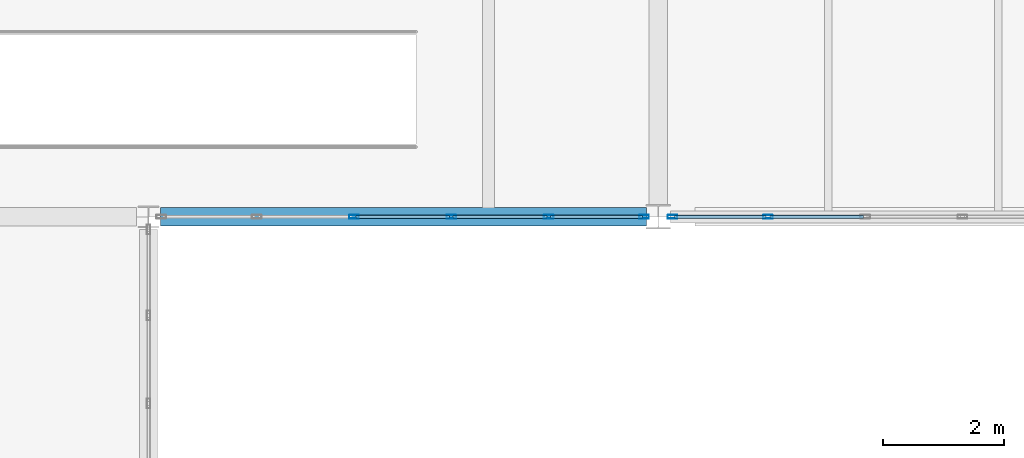
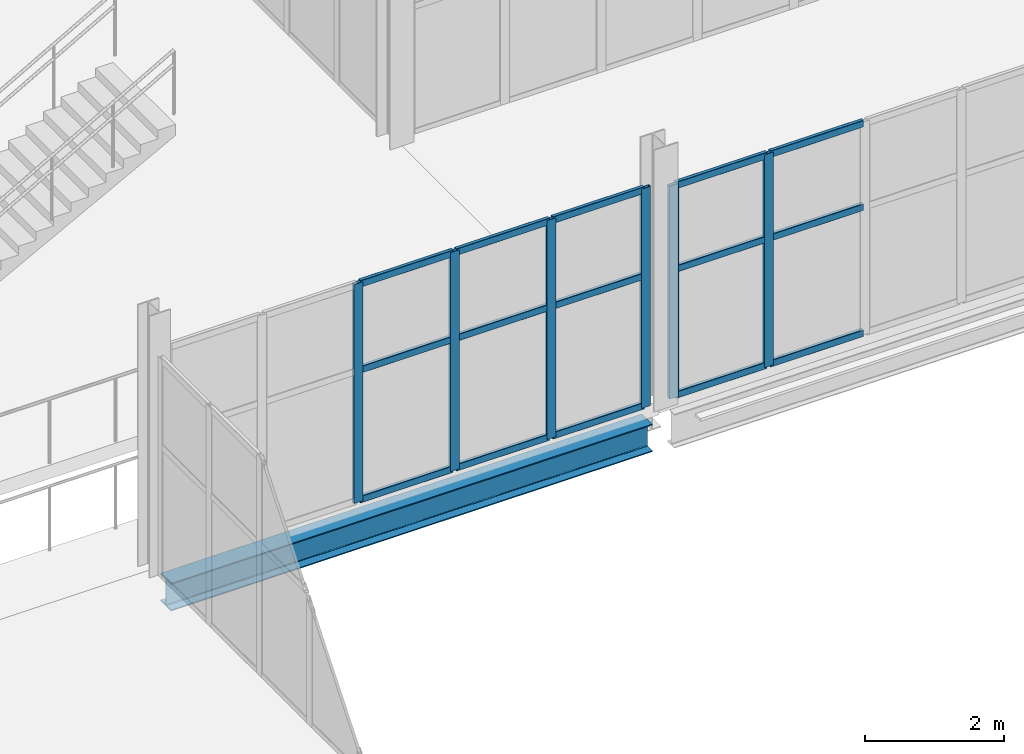
# One storey, part 40 of 172: 21 members, 1 beam, 2 elements without a shape of their own.
"""IFC4 building model written with IfcOpenShell, lengths in metres."""

from ifc_helpers import new_model, si_unit, direction, frame, origin, origin_2d, place, context, subcontext, project, spatial, hollow_rectangle, i_section, extrude, material, material_profile, profile_set, type_object, element, aggregate, save


model = new_model("IFC4")

# Units and contexts
model_context = context("Model", 3, precision=1e-05, world=origin(), true_north=direction((0.0, 1.0)))
body_context = subcontext(model_context, "Body", "Model", "MODEL_VIEW")
ifc_project = project(units=[si_unit("LENGTHUNIT", "METRE"), si_unit("AREAUNIT", "SQUARE_METRE"), si_unit("VOLUMEUNIT", "CUBIC_METRE"), si_unit("PLANEANGLEUNIT", "RADIAN"), si_unit("MASSUNIT", "GRAM", prefix="KILO")], contexts=[model_context])

# Site, building, storey
site_placement = place(None, origin())
site = spatial("IfcSite", under=ifc_project, at=site_placement, CompositionType="ELEMENT")
building_placement = place(site_placement, origin())
building = spatial("IfcBuilding", under=site, at=building_placement, Name="Shengluoqiao Park Theatre", CompositionType="ELEMENT")
storey_placement = place(building_placement, frame((0.0, 0.0, 5.39990234375)))
storey = spatial("IfcBuildingStorey", under=building, at=storey_placement, Name="L01", CompositionType="ELEMENT", Elevation=5.39990234375)

# Curtain wall, members
ifc_material_1 = material(Name="Aluminium 6063-T6", Category="aluminium")
curtain_wall_type_1 = type_object("IfcCurtainWallType", Name="ENV-CW-BRIDGE", PredefinedType="NOTDEFINED", material=ifc_material_1)
curtain_wall_1_placement = place(storey_placement, origin())
curtain_wall_1 = element("IfcCurtainWall", 1, at=curtain_wall_1_placement, inside=storey, type_object=curtain_wall_type_1, Name="L01 Curtain Wall CWX-L01-0123", PredefinedType="NOTDEFINED")
ifc_material_profile_1 = material_profile(ifc_material_1, hollow_rectangle(XDim=0.06005859375, YDim=0.159912109375, WallThickness=0.00390625, InnerFilletRadius=0.00390625, OuterFilletRadius=0.008056640625, at=origin_2d()), Name="ALU MULLION 160x60x4")
ifc_profile_set_1 = profile_set([ifc_material_profile_1], Name="Aluminium 6063-T6")
member_type_1 = type_object("IfcMemberType", Name="ENV-MUL-160", PredefinedType="MULLION", material=ifc_profile_set_1)
member_1_placement = place(storey_placement, frame((44.634033203125, 53.199951171875, 0.0), z_axis=(0.0, 0.0, 1.0), x_axis=(0.0, 1.0, 0.0)))
member_1 = element("IfcMember", 2, at=member_1_placement, type_object=member_type_1, Name="CW-03 mullion 1", PredefinedType="MULLION", context=body_context, shape_type="SweptSolid", body=[
    extrude(hollow_rectangle(XDim=0.06005859375, YDim=0.159912109375, WallThickness=0.00390625, InnerFilletRadius=0.00390625, OuterFilletRadius=0.008056640625, at=origin_2d()), origin(), (0.0, 0.0, 1.0), 3.7421875),
])
member_2_placement = place(storey_placement, frame((46.206787109375, 53.199951171875, 0.0), z_axis=(0.0, 0.0, 1.0), x_axis=(0.0, 1.0, 0.0)))
member_2 = element("IfcMember", 3, at=member_2_placement, type_object=member_type_1, Name="CW-03 mullion 2", PredefinedType="MULLION", context=body_context, shape_type="SweptSolid", body=[
    extrude(hollow_rectangle(XDim=0.06005859375, YDim=0.159912109375, WallThickness=0.00390625, InnerFilletRadius=0.00390625, OuterFilletRadius=0.008056640625, at=origin_2d()), origin(), (0.0, 0.0, 1.0), 3.7421875),
])

curtain_wall_type_2 = type_object("IfcCurtainWallType", Name="ENV-CW-FOYER", PredefinedType="NOTDEFINED", material=ifc_material_1)
curtain_wall_2_placement = place(storey_placement, origin())
curtain_wall_2 = element("IfcCurtainWall", 4, at=curtain_wall_2_placement, inside=storey, type_object=curtain_wall_type_2, Name="L01 Curtain Wall CWX-L01-0212", PredefinedType="NOTDEFINED")
member_3_placement = place(storey_placement, frame((39.3857421875, 53.199951171875, 0.0), z_axis=(0.0, 0.0, 1.0), x_axis=(0.0, 1.0, 0.0)))
member_3 = element("IfcMember", 5, at=member_3_placement, type_object=member_type_1, Name="CW-01 mullion 3", PredefinedType="MULLION", context=body_context, shape_type="SweptSolid", body=[
    extrude(hollow_rectangle(XDim=0.06005859375, YDim=0.159912109375, WallThickness=0.00390625, InnerFilletRadius=0.00390625, OuterFilletRadius=0.008056640625, at=origin_2d()), origin(), (0.0, 0.0, 1.0), 3.85009765625),
])
member_4_placement = place(storey_placement, frame((40.9892578125, 53.199951171875, 0.0), z_axis=(0.0, 0.0, 1.0), x_axis=(0.0, 1.0, 0.0)))
member_4 = element("IfcMember", 6, at=member_4_placement, type_object=member_type_1, Name="CW-01 mullion 4", PredefinedType="MULLION", context=body_context, shape_type="SweptSolid", body=[
    extrude(hollow_rectangle(XDim=0.06005859375, YDim=0.159912109375, WallThickness=0.00390625, InnerFilletRadius=0.00390625, OuterFilletRadius=0.008056640625, at=origin_2d()), origin(), (0.0, 0.0, 1.0), 3.85009765625),
])
member_5_placement = place(storey_placement, frame((42.592529296875, 53.199951171875, 0.0), z_axis=(0.0, 0.0, 1.0), x_axis=(0.0, 1.0, 0.0)))
member_5 = element("IfcMember", 7, at=member_5_placement, type_object=member_type_1, Name="CW-01 mullion 5", PredefinedType="MULLION", context=body_context, shape_type="SweptSolid", body=[
    extrude(hollow_rectangle(XDim=0.06005859375, YDim=0.159912109375, WallThickness=0.00390625, InnerFilletRadius=0.00390625, OuterFilletRadius=0.008056640625, at=origin_2d()), origin(), (0.0, 0.0, 1.0), 3.85009765625),
])
member_6_placement = place(storey_placement, frame((44.166015625, 53.199951171875, 0.0), z_axis=(0.0, 0.0, 1.0), x_axis=(0.0, 1.0, 0.0)))
member_6 = element("IfcMember", 8, at=member_6_placement, type_object=member_type_1, Name="CW-01 mullion 6", PredefinedType="MULLION", context=body_context, shape_type="SweptSolid", body=[
    extrude(hollow_rectangle(XDim=0.06005859375, YDim=0.159912109375, WallThickness=0.00390625, InnerFilletRadius=0.00390625, OuterFilletRadius=0.008056640625, at=origin_2d()), origin(), (0.0, 0.0, 1.0), 3.85009765625),
])

# Member
ifc_material_profile_2 = material_profile(ifc_material_1, hollow_rectangle(XDim=0.06005859375, YDim=0.1201171875, WallThickness=0.00390625, InnerFilletRadius=0.00390625, OuterFilletRadius=0.008056640625, at=origin_2d()), Name="ALU TRANSOM 120x60x4")
ifc_profile_set_2 = profile_set([ifc_material_profile_2], Name="Aluminium 6063-T6")
member_type_2 = type_object("IfcMemberType", Name="ENV-TRN-120", PredefinedType="USERDEFINED", material=ifc_profile_set_2)
member_7_placement = place(storey_placement, frame((44.6640625, 53.199951171875, 0.030029296875), z_axis=(1.0, 0.0, 0.0), x_axis=(0.0, 1.0, 0.0)))
member_7 = element("IfcMember", 9, at=member_7_placement, type_object=member_type_2, Name="CW-03 transom 1.1", ObjectType="TRANSOM", PredefinedType="USERDEFINED", context=body_context, shape_type="SweptSolid", body=[
    extrude(hollow_rectangle(XDim=0.06005859375, YDim=0.1201171875, WallThickness=0.00390625, InnerFilletRadius=0.00390625, OuterFilletRadius=0.008056640625, at=origin_2d()), origin(), (0.0, 0.0, 1.0), 1.5126953125),
])

member_8_placement = place(storey_placement, frame((44.6640625, 53.199951171875, 2.2451171875), z_axis=(1.0, 0.0, 0.0), x_axis=(0.0, 1.0, 0.0)))
member_8 = element("IfcMember", 10, at=member_8_placement, type_object=member_type_2, Name="CW-03 transom 1.2", ObjectType="TRANSOM", PredefinedType="USERDEFINED", context=body_context, shape_type="SweptSolid", body=[
    extrude(hollow_rectangle(XDim=0.06005859375, YDim=0.1201171875, WallThickness=0.00390625, InnerFilletRadius=0.00390625, OuterFilletRadius=0.008056640625, at=origin_2d()), origin(), (0.0, 0.0, 1.0), 1.5126953125),
])

member_9_placement = place(storey_placement, frame((44.6640625, 53.199951171875, 3.712158203125), z_axis=(1.0, 0.0, 0.0), x_axis=(0.0, 1.0, 0.0)))
member_9 = element("IfcMember", 11, at=member_9_placement, type_object=member_type_2, Name="CW-03 transom 1.3", ObjectType="TRANSOM", PredefinedType="USERDEFINED", context=body_context, shape_type="SweptSolid", body=[
    extrude(hollow_rectangle(XDim=0.06005859375, YDim=0.1201171875, WallThickness=0.00390625, InnerFilletRadius=0.00390625, OuterFilletRadius=0.008056640625, at=origin_2d()), origin(), (0.0, 0.0, 1.0), 1.5126953125),
])

member_10_placement = place(storey_placement, frame((46.23681640625, 53.199951171875, 0.030029296875), z_axis=(1.0, 0.0, 0.0), x_axis=(0.0, 1.0, 0.0)))
member_10 = element("IfcMember", 12, at=member_10_placement, type_object=member_type_2, Name="CW-03 transom 2.1", ObjectType="TRANSOM", PredefinedType="USERDEFINED", context=body_context, shape_type="SweptSolid", body=[
    extrude(hollow_rectangle(XDim=0.06005859375, YDim=0.1201171875, WallThickness=0.00390625, InnerFilletRadius=0.00390625, OuterFilletRadius=0.008056640625, at=origin_2d()), origin(), (0.0, 0.0, 1.0), 1.542724609375),
])

member_11_placement = place(storey_placement, frame((46.23681640625, 53.199951171875, 2.2451171875), z_axis=(1.0, 0.0, 0.0), x_axis=(0.0, 1.0, 0.0)))
member_11 = element("IfcMember", 13, at=member_11_placement, type_object=member_type_2, Name="CW-03 transom 2.2", ObjectType="TRANSOM", PredefinedType="USERDEFINED", context=body_context, shape_type="SweptSolid", body=[
    extrude(hollow_rectangle(XDim=0.06005859375, YDim=0.1201171875, WallThickness=0.00390625, InnerFilletRadius=0.00390625, OuterFilletRadius=0.008056640625, at=origin_2d()), origin(), (0.0, 0.0, 1.0), 1.542724609375),
])

member_12_placement = place(storey_placement, frame((46.23681640625, 53.199951171875, 3.712158203125), z_axis=(1.0, 0.0, 0.0), x_axis=(0.0, 1.0, 0.0)))
member_12 = element("IfcMember", 14, at=member_12_placement, type_object=member_type_2, Name="CW-03 transom 2.3", ObjectType="TRANSOM", PredefinedType="USERDEFINED", context=body_context, shape_type="SweptSolid", body=[
    extrude(hollow_rectangle(XDim=0.06005859375, YDim=0.1201171875, WallThickness=0.00390625, InnerFilletRadius=0.00390625, OuterFilletRadius=0.008056640625, at=origin_2d()), origin(), (0.0, 0.0, 1.0), 1.542724609375),
])

aggregate(curtain_wall_1, [member_1, member_2, member_7, member_8, member_9, member_10, member_11, member_12])

member_13_placement = place(storey_placement, frame((39.415771484375, 53.199951171875, 0.030029296875), z_axis=(1.0, 0.0, 0.0), x_axis=(0.0, 1.0, 0.0)))
member_13 = element("IfcMember", 15, at=member_13_placement, type_object=member_type_2, Name="CW-01 transom 3.1", ObjectType="TRANSOM", PredefinedType="USERDEFINED", context=body_context, shape_type="SweptSolid", body=[
    extrude(hollow_rectangle(XDim=0.06005859375, YDim=0.1201171875, WallThickness=0.00390625, InnerFilletRadius=0.00390625, OuterFilletRadius=0.008056640625, at=origin_2d()), origin(), (0.0, 0.0, 1.0), 1.54345703125),
])

member_14_placement = place(storey_placement, frame((39.415771484375, 53.199951171875, 2.31005859375), z_axis=(1.0, 0.0, 0.0), x_axis=(0.0, 1.0, 0.0)))
member_14 = element("IfcMember", 16, at=member_14_placement, type_object=member_type_2, Name="CW-01 transom 3.2", ObjectType="TRANSOM", PredefinedType="USERDEFINED", context=body_context, shape_type="SweptSolid", body=[
    extrude(hollow_rectangle(XDim=0.06005859375, YDim=0.1201171875, WallThickness=0.00390625, InnerFilletRadius=0.00390625, OuterFilletRadius=0.008056640625, at=origin_2d()), origin(), (0.0, 0.0, 1.0), 1.54345703125),
])

member_15_placement = place(storey_placement, frame((39.415771484375, 53.199951171875, 3.820068359375), z_axis=(1.0, 0.0, 0.0), x_axis=(0.0, 1.0, 0.0)))
member_15 = element("IfcMember", 17, at=member_15_placement, type_object=member_type_2, Name="CW-01 transom 3.3", ObjectType="TRANSOM", PredefinedType="USERDEFINED", context=body_context, shape_type="SweptSolid", body=[
    extrude(hollow_rectangle(XDim=0.06005859375, YDim=0.1201171875, WallThickness=0.00390625, InnerFilletRadius=0.00390625, OuterFilletRadius=0.008056640625, at=origin_2d()), origin(), (0.0, 0.0, 1.0), 1.54345703125),
])

member_16_placement = place(storey_placement, frame((41.019287109375, 53.199951171875, 0.030029296875), z_axis=(1.0, 0.0, 0.0), x_axis=(0.0, 1.0, 0.0)))
member_16 = element("IfcMember", 18, at=member_16_placement, type_object=member_type_2, Name="CW-01 transom 4.1", ObjectType="TRANSOM", PredefinedType="USERDEFINED", context=body_context, shape_type="SweptSolid", body=[
    extrude(hollow_rectangle(XDim=0.06005859375, YDim=0.1201171875, WallThickness=0.00390625, InnerFilletRadius=0.00390625, OuterFilletRadius=0.008056640625, at=origin_2d()), origin(), (0.0, 0.0, 1.0), 1.543212890625),
])

member_17_placement = place(storey_placement, frame((41.019287109375, 53.199951171875, 2.31005859375), z_axis=(1.0, 0.0, 0.0), x_axis=(0.0, 1.0, 0.0)))
member_17 = element("IfcMember", 19, at=member_17_placement, type_object=member_type_2, Name="CW-01 transom 4.2", ObjectType="TRANSOM", PredefinedType="USERDEFINED", context=body_context, shape_type="SweptSolid", body=[
    extrude(hollow_rectangle(XDim=0.06005859375, YDim=0.1201171875, WallThickness=0.00390625, InnerFilletRadius=0.00390625, OuterFilletRadius=0.008056640625, at=origin_2d()), origin(), (0.0, 0.0, 1.0), 1.543212890625),
])

member_18_placement = place(storey_placement, frame((41.019287109375, 53.199951171875, 3.820068359375), z_axis=(1.0, 0.0, 0.0), x_axis=(0.0, 1.0, 0.0)))
member_18 = element("IfcMember", 20, at=member_18_placement, type_object=member_type_2, Name="CW-01 transom 4.3", ObjectType="TRANSOM", PredefinedType="USERDEFINED", context=body_context, shape_type="SweptSolid", body=[
    extrude(hollow_rectangle(XDim=0.06005859375, YDim=0.1201171875, WallThickness=0.00390625, InnerFilletRadius=0.00390625, OuterFilletRadius=0.008056640625, at=origin_2d()), origin(), (0.0, 0.0, 1.0), 1.543212890625),
])

member_19_placement = place(storey_placement, frame((42.62255859375, 53.199951171875, 0.030029296875), z_axis=(1.0, 0.0, 0.0), x_axis=(0.0, 1.0, 0.0)))
member_19 = element("IfcMember", 21, at=member_19_placement, type_object=member_type_2, Name="CW-01 transom 5.1", ObjectType="TRANSOM", PredefinedType="USERDEFINED", context=body_context, shape_type="SweptSolid", body=[
    extrude(hollow_rectangle(XDim=0.06005859375, YDim=0.1201171875, WallThickness=0.00390625, InnerFilletRadius=0.00390625, OuterFilletRadius=0.008056640625, at=origin_2d()), origin(), (0.0, 0.0, 1.0), 1.513427734375),
])

member_20_placement = place(storey_placement, frame((42.62255859375, 53.199951171875, 2.31005859375), z_axis=(1.0, 0.0, 0.0), x_axis=(0.0, 1.0, 0.0)))
member_20 = element("IfcMember", 22, at=member_20_placement, type_object=member_type_2, Name="CW-01 transom 5.2", ObjectType="TRANSOM", PredefinedType="USERDEFINED", context=body_context, shape_type="SweptSolid", body=[
    extrude(hollow_rectangle(XDim=0.06005859375, YDim=0.1201171875, WallThickness=0.00390625, InnerFilletRadius=0.00390625, OuterFilletRadius=0.008056640625, at=origin_2d()), origin(), (0.0, 0.0, 1.0), 1.513427734375),
])

member_21_placement = place(storey_placement, frame((42.62255859375, 53.199951171875, 3.820068359375), z_axis=(1.0, 0.0, 0.0), x_axis=(0.0, 1.0, 0.0)))
member_21 = element("IfcMember", 23, at=member_21_placement, type_object=member_type_2, Name="CW-01 transom 5.3", ObjectType="TRANSOM", PredefinedType="USERDEFINED", context=body_context, shape_type="SweptSolid", body=[
    extrude(hollow_rectangle(XDim=0.06005859375, YDim=0.1201171875, WallThickness=0.00390625, InnerFilletRadius=0.00390625, OuterFilletRadius=0.008056640625, at=origin_2d()), origin(), (0.0, 0.0, 1.0), 1.513427734375),
])

aggregate(curtain_wall_2, [member_3, member_4, member_5, member_6, member_13, member_14, member_15, member_16, member_17, member_18, member_19, member_20, member_21])

# Beam
ifc_material_2 = material(Name="Steel Q355", Category="steel")
ifc_material_profile_3 = material_profile(ifc_material_2, i_section(OverallWidth=0.300048828125, OverallDepth=0.488037109375, WebThickness=0.010986328125, FlangeThickness=0.01806640625, FilletRadius=0.02197265625, at=origin_2d()), Name="HM 488x300x11x18")
ifc_profile_set_3 = profile_set([ifc_material_profile_3], Name="Steel Q355")
beam_type = type_object("IfcBeamType", Name="STR-BM-G-HM488", PredefinedType="BEAM", material=ifc_profile_set_3)
beam_placement = place(storey_placement, frame((36.197509765625, 53.199951171875, -0.48388671875), z_axis=(1.0, 0.0, 0.0), x_axis=(0.0, 1.0, 0.0)))
element("IfcBeam", 24, at=beam_placement, inside=storey, type_object=beam_type, Name="L01 Primary Girder 00483", PredefinedType="BEAM", context=body_context, shape_type="SweptSolid", body=[
    extrude(i_section(OverallWidth=0.300048828125, OverallDepth=0.488037109375, WebThickness=0.010986328125, FlangeThickness=0.01806640625, FilletRadius=0.02197265625, at=origin_2d()), origin(), (0.0, 0.0, 1.0), 8.006103515625),
])

save(model, "model.ifc")
